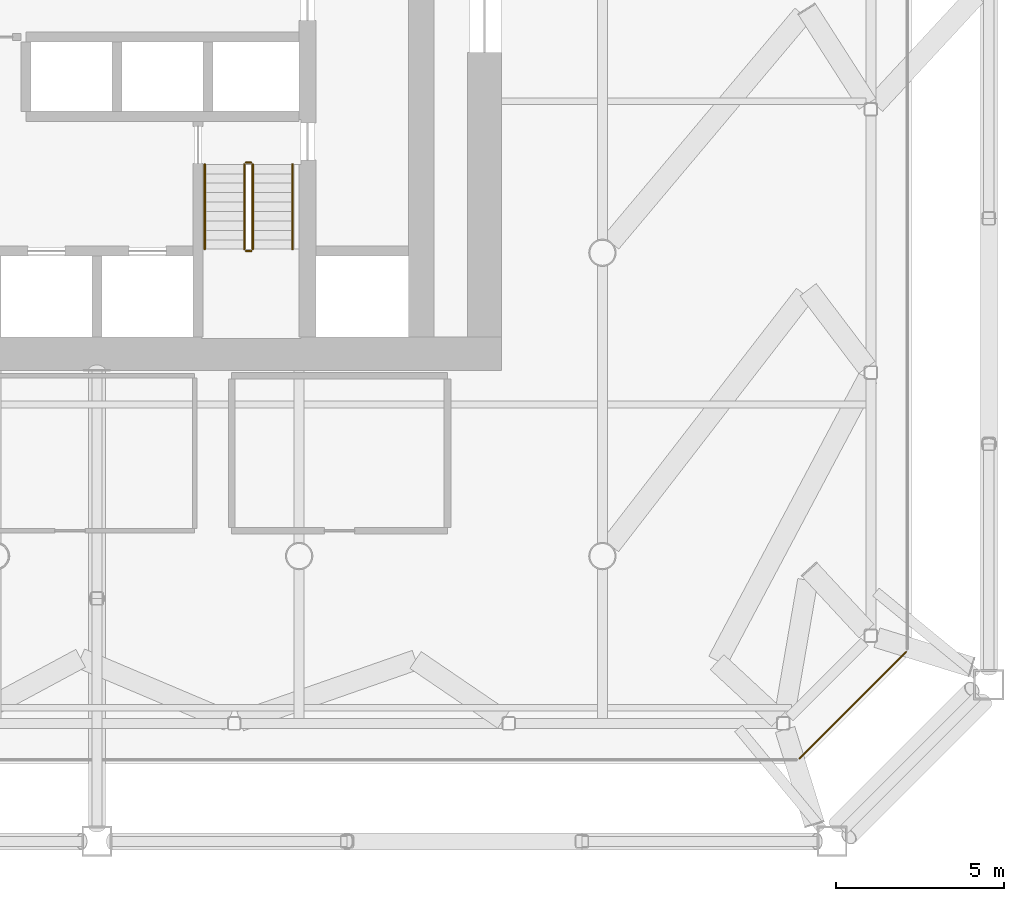
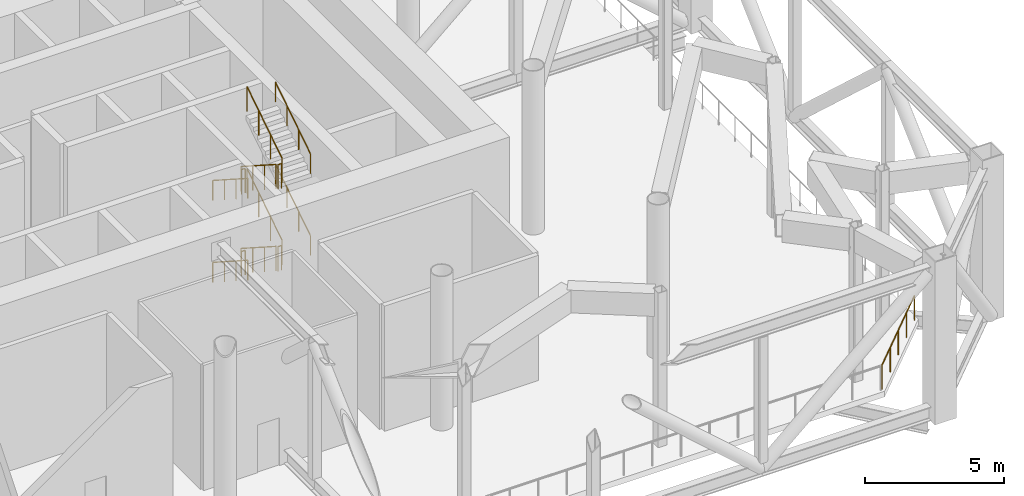
# One storey, part 17 of 20: 13 railings.
"""IFC4 building model written with IfcOpenShell, lengths in metres."""

from ifc_helpers import new_model, si_unit, direction, frame, origin, origin_2d, place, context, subcontext, project, spatial, circle, extrude, material, type_object, element, save


model = new_model("IFC4")

# Units and contexts
model_context = context("Model", 3, precision=1e-05, world=origin(), true_north=direction((0.0, 1.0)))
body_context = subcontext(model_context, "Body", "Model", "MODEL_VIEW")
ifc_project = project(units=[si_unit("LENGTHUNIT", "METRE"), si_unit("AREAUNIT", "SQUARE_METRE"), si_unit("VOLUMEUNIT", "CUBIC_METRE"), si_unit("PLANEANGLEUNIT", "RADIAN"), si_unit("MASSUNIT", "GRAM", prefix="KILO")], contexts=[model_context])

# Site, building, storey
site_placement = place(None, origin())
site = spatial("IfcSite", under=ifc_project, at=site_placement, CompositionType="ELEMENT")
building_placement = place(site_placement, origin())
building = spatial("IfcBuilding", under=site, at=building_placement, Name="Tskaro Facet Tower", CompositionType="ELEMENT")
storey_placement = place(building_placement, frame((0.0, 0.0, 114.300048828125)))
storey = spatial("IfcBuildingStorey", under=building, at=storey_placement, Name="L27", CompositionType="ELEMENT", Elevation=114.300048828125)

# Railings
ifc_material_1 = material(Name="Bronze anodised aluminium 6063-T6", Category="aluminium")
railing_type_1 = type_object("IfcRailingType", Name="Bronze guard rail (GD1)", PredefinedType="GUARDRAIL", material=ifc_material_1)
railing_1_placement = place(storey_placement, frame((23.8427734375, -24.01318359375, 0.0)))
element("IfcRailing", 1, at=railing_1_placement, inside=storey, type_object=railing_type_1, Name="Guard L27", PredefinedType="GUARDRAIL", context=body_context, shape_type="SweptSolid", body=[
    extrude(circle(Radius=0.02490234375, at=origin_2d()), frame((0.0, 0.0, 1.0751953125), z_axis=(0.707106781187, 0.707106781187, 0.0), x_axis=(-0.707106781187, 0.707106781187, 0.0)), (0.0, 0.0, 1.0), 4.483642578125),
    extrude(circle(Radius=0.02001953125, at=origin_2d()), origin(), (0.0, 0.0, 1.0), 1.050048828125),
    extrude(circle(Radius=0.02001953125, at=origin_2d()), frame((0.79248046875, 0.79248046875, 0.0)), (0.0, 0.0, 1.0), 1.050048828125),
    extrude(circle(Radius=0.02001953125, at=origin_2d()), frame((1.585205078125, 1.585205078125, 0.0)), (0.0, 0.0, 1.0), 1.050048828125),
    extrude(circle(Radius=0.02001953125, at=origin_2d()), frame((2.3779296875, 2.3779296875, 0.0)), (0.0, 0.0, 1.0), 1.050048828125),
    extrude(circle(Radius=0.02001953125, at=origin_2d()), frame((3.17041015625, 3.17041015625, 0.0)), (0.0, 0.0, 1.0), 1.050048828125),
])
ifc_material_2 = material(Name="Stainless steel", Category="steel")
railing_type_2 = type_object("IfcRailingType", Name="RL-GUARD-1100", PredefinedType="GUARDRAIL", material=ifc_material_2)
railing_2_placement = place(storey_placement, frame((7.375, -6.375, 0.179931640625)))
element("IfcRailing", 2, at=railing_2_placement, inside=storey, type_object=railing_type_2, Name="L27 ST-2 stair guard 1", PredefinedType="GUARDRAIL", context=body_context, shape_type="SweptSolid", body=[
    extrude(circle(Radius=0.02392578125, at=origin_2d()), frame((0.0, 0.0, 1.076171875), z_axis=(0.0, -0.841162588446, 0.540782303519), x_axis=(1.0, 0.0, 0.0)), (0.0, 0.0, 1.0), 2.995849609375),
    extrude(circle(Radius=0.02099609375, at=origin_2d()), origin(), (0.0, 0.0, 1.0), 1.052001953125),
    extrude(circle(Radius=0.02099609375, at=origin_2d()), frame((0.0, -0.840087890625, 0.5400390625)), (0.0, 0.0, 1.0), 1.052001953125),
    extrude(circle(Radius=0.02099609375, at=origin_2d()), frame((0.0, -1.679931640625, 1.080078125)), (0.0, 0.0, 1.0), 1.052001953125),
    extrude(circle(Radius=0.02099609375, at=origin_2d()), frame((0.0, -2.52001953125, 1.6201171875)), (0.0, 0.0, 1.0), 1.052001953125),
])
railing_3_placement = place(storey_placement, frame((7.425048828125, -8.945068359375, 1.800048828125)))
element("IfcRailing", 3, at=railing_3_placement, inside=storey, type_object=railing_type_2, Name="L27 ST-2 stair guard 2", PredefinedType="GUARDRAIL", context=body_context, shape_type="SweptSolid", body=[
    extrude(circle(Radius=0.02392578125, at=origin_2d()), frame((0.0, 0.0, 1.076171875), z_axis=(1.0, 0.0, 0.0), x_axis=(0.0, 1.0, 0.0)), (0.0, 0.0, 1.0), 0.14990234375),
    extrude(circle(Radius=0.02099609375, at=origin_2d()), origin(), (0.0, 0.0, 1.0), 1.052001953125),
    extrude(circle(Radius=0.02099609375, at=origin_2d()), frame((0.14990234375, 0.0, 0.0)), (0.0, 0.0, 1.0), 1.052001953125),
])
railing_4_placement = place(storey_placement, frame((7.625, -8.89501953125, 1.97998046875)))
element("IfcRailing", 4, at=railing_4_placement, inside=storey, type_object=railing_type_2, Name="L27 ST-2 stair guard 3", PredefinedType="GUARDRAIL", context=body_context, shape_type="SweptSolid", body=[
    extrude(circle(Radius=0.02392578125, at=origin_2d()), frame((0.0, 0.0, 1.076171875), z_axis=(0.0, 0.841199657755, 0.540724639528), x_axis=(-1.0, 0.0, 0.0)), (0.0, 0.0, 1.0), 2.995849609375),
    extrude(circle(Radius=0.02099609375, at=origin_2d()), origin(), (0.0, 0.0, 1.0), 1.052001953125),
    extrude(circle(Radius=0.02099609375, at=origin_2d()), frame((0.0, 0.840087890625, 0.5400390625)), (0.0, 0.0, 1.0), 1.052001953125),
    extrude(circle(Radius=0.02099609375, at=origin_2d()), frame((0.0, 1.679931640625, 1.079833984375)), (0.0, 0.0, 1.0), 1.052001953125),
    extrude(circle(Radius=0.02099609375, at=origin_2d()), frame((0.0, 2.52001953125, 1.619873046875)), (0.0, 0.0, 1.0), 1.052001953125),
])
railing_5_placement = place(storey_placement, frame((7.425048828125, -6.324951171875, 3.599853515625)))
element("IfcRailing", 5, at=railing_5_placement, inside=storey, type_object=railing_type_2, Name="L27 ST-2 stair guard 4", PredefinedType="GUARDRAIL", context=body_context, shape_type="SweptSolid", body=[
    extrude(circle(Radius=0.02392578125, at=origin_2d()), frame((0.0, 0.0, 1.076171875), z_axis=(1.0, 0.0, 0.0), x_axis=(0.0, 1.0, 0.0)), (0.0, 0.0, 1.0), 0.14990234375),
    extrude(circle(Radius=0.02099609375, at=origin_2d()), origin(), (0.0, 0.0, 1.0), 1.052001953125),
    extrude(circle(Radius=0.02099609375, at=origin_2d()), frame((0.14990234375, 0.0, 0.0)), (0.0, 0.0, 1.0), 1.052001953125),
])
railing_6_placement = place(storey_placement, frame((7.375, -6.375, 3.780029296875)))
element("IfcRailing", 6, at=railing_6_placement, inside=storey, type_object=railing_type_2, Name="L27 ST-2 stair guard 5", PredefinedType="GUARDRAIL", context=body_context, shape_type="SweptSolid", body=[
    extrude(circle(Radius=0.02392578125, at=origin_2d()), frame((0.0, 0.0, 1.076171875), z_axis=(0.0, -0.841199657755, 0.540724639528), x_axis=(1.0, 0.0, 0.0)), (0.0, 0.0, 1.0), 2.995849609375),
    extrude(circle(Radius=0.02099609375, at=origin_2d()), origin(), (0.0, 0.0, 1.0), 1.052001953125),
    extrude(circle(Radius=0.02099609375, at=origin_2d()), frame((0.0, -0.840087890625, 0.5400390625)), (0.0, 0.0, 1.0), 1.052001953125),
    extrude(circle(Radius=0.02099609375, at=origin_2d()), frame((0.0, -1.679931640625, 1.079833984375)), (0.0, 0.0, 1.0), 1.052001953125),
    extrude(circle(Radius=0.02099609375, at=origin_2d()), frame((0.0, -2.52001953125, 1.619873046875)), (0.0, 0.0, 1.0), 1.052001953125),
])
railing_7_placement = place(storey_placement, frame((7.425048828125, -8.945068359375, 5.39990234375)))
element("IfcRailing", 7, at=railing_7_placement, inside=storey, type_object=railing_type_2, Name="L27 ST-2 stair guard 6", PredefinedType="GUARDRAIL", context=body_context, shape_type="SweptSolid", body=[
    extrude(circle(Radius=0.02392578125, at=origin_2d()), frame((0.0, 0.0, 1.076171875), z_axis=(1.0, 0.0, 0.0), x_axis=(0.0, 1.0, 0.0)), (0.0, 0.0, 1.0), 0.14990234375),
    extrude(circle(Radius=0.02099609375, at=origin_2d()), origin(), (0.0, 0.0, 1.0), 1.052001953125),
    extrude(circle(Radius=0.02099609375, at=origin_2d()), frame((0.14990234375, 0.0, 0.0)), (0.0, 0.0, 1.0), 1.052001953125),
])
railing_8_placement = place(storey_placement, frame((7.625, -8.89501953125, 5.579833984375)))
element("IfcRailing", 8, at=railing_8_placement, inside=storey, type_object=railing_type_2, Name="L27 ST-2 stair guard 7", PredefinedType="GUARDRAIL", context=body_context, shape_type="SweptSolid", body=[
    extrude(circle(Radius=0.02392578125, at=origin_2d()), frame((0.0, 0.0, 1.076171875), z_axis=(0.0, 0.841162588446, 0.540782303519), x_axis=(-1.0, 0.0, 0.0)), (0.0, 0.0, 1.0), 2.995849609375),
    extrude(circle(Radius=0.02099609375, at=origin_2d()), origin(), (0.0, 0.0, 1.0), 1.052001953125),
    extrude(circle(Radius=0.02099609375, at=origin_2d()), frame((0.0, 0.840087890625, 0.5400390625)), (0.0, 0.0, 1.0), 1.052001953125),
    extrude(circle(Radius=0.02099609375, at=origin_2d()), frame((0.0, 1.679931640625, 1.080078125)), (0.0, 0.0, 1.0), 1.052001953125),
    extrude(circle(Radius=0.02099609375, at=origin_2d()), frame((0.0, 2.52001953125, 1.6201171875)), (0.0, 0.0, 1.0), 1.052001953125),
])
railing_9_placement = place(storey_placement, frame((7.425048828125, -6.324951171875, 0.0)))
element("IfcRailing", 9, at=railing_9_placement, inside=storey, type_object=railing_type_2, Name="L27 ST-2 stair guard 8", PredefinedType="GUARDRAIL", context=body_context, shape_type="SweptSolid", body=[
    extrude(circle(Radius=0.02392578125, at=origin_2d()), frame((0.0, 0.0, 1.076171875), z_axis=(1.0, 0.0, 0.0), x_axis=(0.0, 1.0, 0.0)), (0.0, 0.0, 1.0), 0.14990234375),
    extrude(circle(Radius=0.02099609375, at=origin_2d()), origin(), (0.0, 0.0, 1.0), 1.052001953125),
    extrude(circle(Radius=0.02099609375, at=origin_2d()), frame((0.14990234375, 0.0, 0.0)), (0.0, 0.0, 1.0), 1.052001953125),
])
railing_type_3 = type_object("IfcRailingType", Name="RL-HANDRAIL-900", PredefinedType="HANDRAIL", material=ifc_material_2)
railing_10_placement = place(storey_placement, frame((6.199951171875, -6.375, 0.179931640625)))
element("IfcRailing", 10, at=railing_10_placement, inside=storey, type_object=railing_type_3, Name="L27 ST-2 stair handrail 1", PredefinedType="HANDRAIL", context=body_context, shape_type="SweptSolid", body=[
    extrude(circle(Radius=0.02392578125, at=origin_2d()), frame((0.0, 0.0, 0.8759765625), z_axis=(0.0, -0.841162588446, 0.540782303519), x_axis=(1.0, 0.0, 0.0)), (0.0, 0.0, 1.0), 2.995849609375),
    extrude(circle(Radius=0.02099609375, at=origin_2d()), origin(), (0.0, 0.0, 1.0), 0.851806640625),
    extrude(circle(Radius=0.02099609375, at=origin_2d()), frame((0.0, -0.840087890625, 0.5400390625)), (0.0, 0.0, 1.0), 0.851806640625),
    extrude(circle(Radius=0.02099609375, at=origin_2d()), frame((0.0, -1.679931640625, 1.080078125)), (0.0, 0.0, 1.0), 0.851806640625),
    extrude(circle(Radius=0.02099609375, at=origin_2d()), frame((0.0, -2.52001953125, 1.6201171875)), (0.0, 0.0, 1.0), 0.851806640625),
])
railing_11_placement = place(storey_placement, frame((8.800048828125, -8.89501953125, 1.97998046875)))
element("IfcRailing", 11, at=railing_11_placement, inside=storey, type_object=railing_type_3, Name="L27 ST-2 stair handrail 2", PredefinedType="HANDRAIL", context=body_context, shape_type="SweptSolid", body=[
    extrude(circle(Radius=0.02392578125, at=origin_2d()), frame((0.0, 0.0, 0.8759765625), z_axis=(0.0, 0.841199657755, 0.540724639528), x_axis=(-1.0, 0.0, 0.0)), (0.0, 0.0, 1.0), 2.995849609375),
    extrude(circle(Radius=0.02099609375, at=origin_2d()), origin(), (0.0, 0.0, 1.0), 0.851806640625),
    extrude(circle(Radius=0.02099609375, at=origin_2d()), frame((0.0, 0.840087890625, 0.5400390625)), (0.0, 0.0, 1.0), 0.851806640625),
    extrude(circle(Radius=0.02099609375, at=origin_2d()), frame((0.0, 1.679931640625, 1.079833984375)), (0.0, 0.0, 1.0), 0.851806640625),
    extrude(circle(Radius=0.02099609375, at=origin_2d()), frame((0.0, 2.52001953125, 1.619873046875)), (0.0, 0.0, 1.0), 0.851806640625),
])
railing_12_placement = place(storey_placement, frame((6.199951171875, -6.375, 3.780029296875)))
element("IfcRailing", 12, at=railing_12_placement, inside=storey, type_object=railing_type_3, Name="L27 ST-2 stair handrail 3", PredefinedType="HANDRAIL", context=body_context, shape_type="SweptSolid", body=[
    extrude(circle(Radius=0.02392578125, at=origin_2d()), frame((0.0, 0.0, 0.8759765625), z_axis=(0.0, -0.841199657755, 0.540724639528), x_axis=(1.0, 0.0, 0.0)), (0.0, 0.0, 1.0), 2.995849609375),
    extrude(circle(Radius=0.02099609375, at=origin_2d()), origin(), (0.0, 0.0, 1.0), 0.851806640625),
    extrude(circle(Radius=0.02099609375, at=origin_2d()), frame((0.0, -0.840087890625, 0.5400390625)), (0.0, 0.0, 1.0), 0.851806640625),
    extrude(circle(Radius=0.02099609375, at=origin_2d()), frame((0.0, -1.679931640625, 1.079833984375)), (0.0, 0.0, 1.0), 0.851806640625),
    extrude(circle(Radius=0.02099609375, at=origin_2d()), frame((0.0, -2.52001953125, 1.619873046875)), (0.0, 0.0, 1.0), 0.851806640625),
])
railing_13_placement = place(storey_placement, frame((8.800048828125, -8.89501953125, 5.579833984375)))
element("IfcRailing", 13, at=railing_13_placement, inside=storey, type_object=railing_type_3, Name="L27 ST-2 stair handrail 4", PredefinedType="HANDRAIL", context=body_context, shape_type="SweptSolid", body=[
    extrude(circle(Radius=0.02392578125, at=origin_2d()), frame((0.0, 0.0, 0.8759765625), z_axis=(0.0, 0.841162588446, 0.540782303519), x_axis=(-1.0, 0.0, 0.0)), (0.0, 0.0, 1.0), 2.995849609375),
    extrude(circle(Radius=0.02099609375, at=origin_2d()), origin(), (0.0, 0.0, 1.0), 0.851806640625),
    extrude(circle(Radius=0.02099609375, at=origin_2d()), frame((0.0, 0.840087890625, 0.5400390625)), (0.0, 0.0, 1.0), 0.851806640625),
    extrude(circle(Radius=0.02099609375, at=origin_2d()), frame((0.0, 1.679931640625, 1.080078125)), (0.0, 0.0, 1.0), 0.851806640625),
    extrude(circle(Radius=0.02099609375, at=origin_2d()), frame((0.0, 2.52001953125, 1.6201171875)), (0.0, 0.0, 1.0), 0.851806640625),
])

save(model, "model.ifc")
